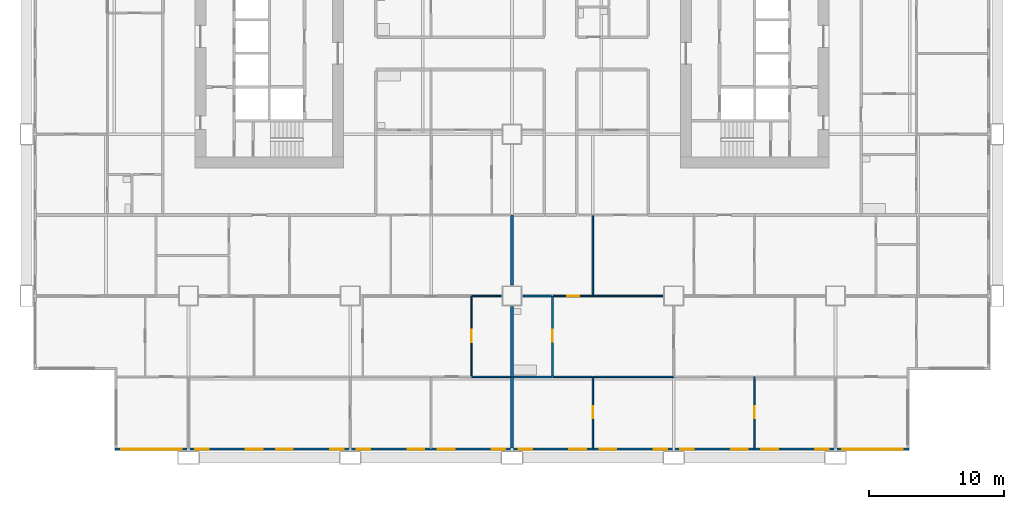
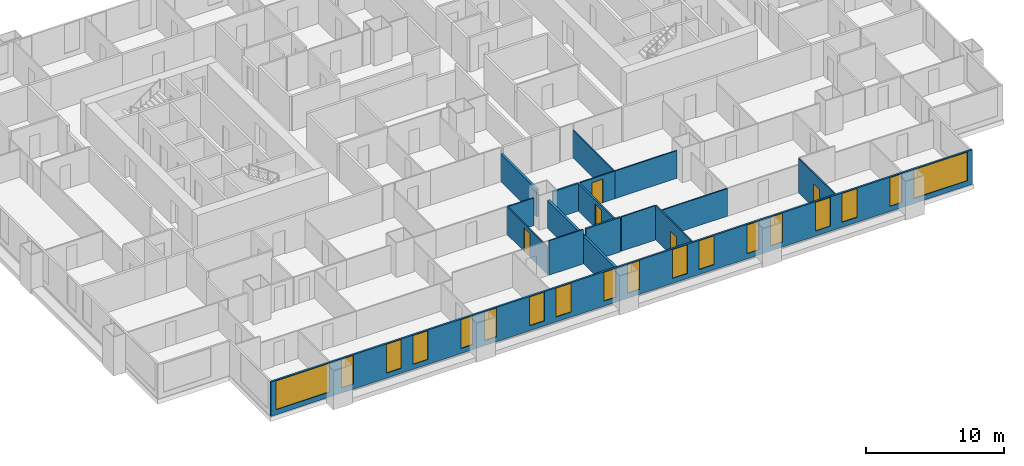
# One storey, part 5 of 14: 18 windows, 17 walls, 5 doors, 23 openings.
"""IFC4 building model written with IfcOpenShell, lengths in metres."""

from ifc_helpers import new_model, si_unit, direction, frame, frame_2d, origin, place, context, subcontext, project, spatial, rectangle, extrude, material, layer, layer_set, type_object, element, fill, save


model = new_model("IFC4")

# Units and contexts
model_context = context("Model", 3, precision=1e-05, world=origin(), true_north=direction((0.0, 1.0)))
body_context = subcontext(model_context, "Body", "Model", "MODEL_VIEW")
ifc_project = project(units=[si_unit("LENGTHUNIT", "METRE"), si_unit("AREAUNIT", "SQUARE_METRE"), si_unit("VOLUMEUNIT", "CUBIC_METRE"), si_unit("PLANEANGLEUNIT", "RADIAN"), si_unit("MASSUNIT", "GRAM", prefix="KILO")], contexts=[model_context])

# Site, building, storey
site_placement = place(None, origin())
site = spatial("IfcSite", under=ifc_project, at=site_placement, CompositionType="ELEMENT")
building_placement = place(site_placement, origin())
building = spatial("IfcBuilding", under=site, at=building_placement, Name="Kitamizu Gate Tower and Museum", CompositionType="ELEMENT")
storey_placement = place(building_placement, frame((0.0, 0.0, 85.199951171875)))
storey = spatial("IfcBuildingStorey", under=building, at=storey_placement, Name="L21", CompositionType="ELEMENT", Elevation=85.199951171875)

# Wall
ifc_material_1 = material(Name="Gypsum board on galvanised stud")
ifc_layer_1 = layer(ifc_material_1, 0.10009765625)
ifc_layer_set_1 = layer_set([ifc_layer_1], Name="Gypsum board on galvanised stud")
wall_type_1 = type_object("IfcWallType", Name="Partition 100 NOT RATED", PredefinedType="PARTITIONING", material=ifc_layer_set_1)
wall_1_placement = place(storey_placement, frame((35.89990234375, 6.0, 0.0), z_axis=(0.0, 0.0, 1.0), x_axis=(-1.0, 0.0, 0.0)))
element("IfcWall", 1, at=wall_1_placement, inside=storey, type_object=wall_type_1, Name="Partition L21-011", PredefinedType="PARTITIONING", context=body_context, shape_type="SweptSolid", body=[
    extrude(rectangle(XDim=2.89990234375, YDim=0.10009765625, at=frame_2d((1.449951171875, 0.0))), origin(), (0.0, 0.0, 1.0), 3.050048828125),
])

# Wall, opening, door
wall_2_placement = place(storey_placement, frame((33.0, 6.050048828125, 0.0), z_axis=(0.0, 0.0, 1.0), x_axis=(0.0, 1.0, 0.0)))
wall_2 = element("IfcWall", 2, at=wall_2_placement, inside=storey, type_object=wall_type_1, Name="Partition L21-023", PredefinedType="PARTITIONING", context=body_context, shape_type="SweptSolid", body=[
    extrude(rectangle(XDim=5.949951171875, YDim=0.10009765625, at=frame_2d((2.97509765625, 0.0))), origin(), (0.0, 0.0, 1.0), 2.449951171875),
])
opening_1_placement = place(wall_2_placement, frame((2.52490234375, 0.0, 0.0)))
opening_1 = element("IfcOpeningElement", 3, at=opening_1_placement, cuts=wall_2, Name="Opening L21-010", PredefinedType="OPENING", context=body_context, shape_type="SweptSolid", body=[
    extrude(rectangle(XDim=0.89990234375, YDim=2.10009765625, at=frame_2d((0.449951171875, 1.050048828125))), frame((0.0, 0.06005859375, 0.0), z_axis=(0.0, -1.0, 0.0), x_axis=(1.0, 0.0, 0.0)), (0.0, 0.0, 1.0), 0.1201171875),
])
ifc_material_2 = material(Name="Timber door set", Category="wood")
door_type_1 = type_object("IfcDoorType", Name="Room door 900", OperationType="NOTDEFINED", PredefinedType="DOOR", material=ifc_material_2)
door_1_placement = place(opening_1_placement, frame((0.89990234375, 0.0, 0.0), x_axis=(-1.0, 0.0, 0.0)))
door_1 = element("IfcDoor", 4, at=door_1_placement, inside=storey, type_object=door_type_1, Name="Door L21-010", OperationType="SINGLE_SWING_RIGHT", OverallHeight=2.10009765625, OverallWidth=0.89990234375, PredefinedType="DOOR", context=body_context, shape_type="SweptSolid", body=[
    extrude(rectangle(XDim=0.89990234375, YDim=2.10009765625, at=frame_2d((0.449951171875, 1.050048828125))), frame((0.0, 0.02490234375, 0.0), z_axis=(0.0, -1.0, 0.0), x_axis=(1.0, 0.0, 0.0)), (0.0, 0.0, 1.0), 0.050048828125),
])
fill(opening_1, door_1)

# Wall
wall_3_placement = place(storey_placement, frame((35.199951171875, 12.0, 0.0), z_axis=(0.0, 0.0, 1.0), x_axis=(-1.0, 0.0, 0.0)))
element("IfcWall", 5, at=wall_3_placement, inside=storey, type_object=wall_type_1, Name="Partition L21-026", PredefinedType="PARTITIONING", context=body_context, shape_type="SweptSolid", body=[
    extrude(rectangle(XDim=2.14990234375, YDim=0.10009765625, at=frame_2d((1.074951171875, 0.0))), origin(), (0.0, 0.0, 1.0), 2.449951171875),
])

# Wall, opening, door
wall_4_placement = place(storey_placement, frame((42.0, 0.719970703125, 0.0), z_axis=(0.0, 0.0, 1.0), x_axis=(0.0, 1.0, 0.0)))
wall_4 = element("IfcWall", 6, at=wall_4_placement, inside=storey, type_object=wall_type_1, Name="Partition L21-121", PredefinedType="PARTITIONING", context=body_context, shape_type="SweptSolid", body=[
    extrude(rectangle(XDim=5.280029296875, YDim=0.10009765625, at=frame_2d((2.64013671875, 0.0))), origin(), (0.0, 0.0, 1.0), 3.050048828125),
])
opening_2_placement = place(wall_4_placement, frame((2.18994140625, 0.0, 0.0)))
opening_2 = element("IfcOpeningElement", 7, at=opening_2_placement, cuts=wall_4, Name="Opening L21-048", PredefinedType="OPENING", context=body_context, shape_type="SweptSolid", body=[
    extrude(rectangle(XDim=0.89990234375, YDim=2.10009765625, at=frame_2d((0.449951171875, 1.050048828125))), frame((0.0, 0.06005859375, 0.0), z_axis=(0.0, -1.0, 0.0), x_axis=(1.0, 0.0, 0.0)), (0.0, 0.0, 1.0), 0.1201171875),
])
door_2_placement = place(opening_2_placement, origin())
door_2 = element("IfcDoor", 8, at=door_2_placement, inside=storey, type_object=door_type_1, Name="Door L21-048", OperationType="SINGLE_SWING_LEFT", OverallHeight=2.10009765625, OverallWidth=0.89990234375, PredefinedType="DOOR", context=body_context, shape_type="SweptSolid", body=[
    extrude(rectangle(XDim=0.89990234375, YDim=2.10009765625, at=frame_2d((0.449951171875, 1.050048828125))), frame((0.0, 0.02490234375, 0.0), z_axis=(0.0, -1.0, 0.0), x_axis=(1.0, 0.0, 0.0)), (0.0, 0.0, 1.0), 0.050048828125),
])
fill(opening_2, door_2)

# Wall
wall_5_placement = place(storey_placement, frame((41.949951171875, 6.0, 0.0), z_axis=(0.0, 0.0, 1.0), x_axis=(-1.0, 0.0, 0.0)))
element("IfcWall", 9, at=wall_5_placement, inside=storey, type_object=wall_type_1, Name="Partition L21-123", PredefinedType="PARTITIONING", context=body_context, shape_type="SweptSolid", body=[
    extrude(rectangle(XDim=2.875, YDim=0.10009765625, at=frame_2d((1.4375, 0.0))), origin(), (0.0, 0.0, 1.0), 3.050048828125),
])

# Wall, opening, door
wall_6_placement = place(storey_placement, frame((54.0, 0.719970703125, 0.0), z_axis=(0.0, 0.0, 1.0), x_axis=(0.0, 1.0, 0.0)))
wall_6 = element("IfcWall", 10, at=wall_6_placement, inside=storey, type_object=wall_type_1, Name="Partition L21-124", PredefinedType="PARTITIONING", context=body_context, shape_type="SweptSolid", body=[
    extrude(rectangle(XDim=5.280029296875, YDim=0.10009765625, at=frame_2d((2.64013671875, 0.0))), origin(), (0.0, 0.0, 1.0), 3.050048828125),
])
opening_3_placement = place(wall_6_placement, frame((2.18994140625, 0.0, 0.0)))
opening_3 = element("IfcOpeningElement", 11, at=opening_3_placement, cuts=wall_6, Name="Opening L21-049", PredefinedType="OPENING", context=body_context, shape_type="SweptSolid", body=[
    extrude(rectangle(XDim=0.89990234375, YDim=2.10009765625, at=frame_2d((0.449951171875, 1.050048828125))), frame((0.0, 0.06005859375, 0.0), z_axis=(0.0, -1.0, 0.0), x_axis=(1.0, 0.0, 0.0)), (0.0, 0.0, 1.0), 0.1201171875),
])
door_3_placement = place(opening_3_placement, frame((0.89990234375, 0.0, 0.0), x_axis=(-1.0, 0.0, 0.0)))
door_3 = element("IfcDoor", 12, at=door_3_placement, inside=storey, type_object=door_type_1, Name="Door L21-049", OperationType="SINGLE_SWING_LEFT", OverallHeight=2.10009765625, OverallWidth=0.89990234375, PredefinedType="DOOR", context=body_context, shape_type="SweptSolid", body=[
    extrude(rectangle(XDim=0.89990234375, YDim=2.10009765625, at=frame_2d((0.449951171875, 1.050048828125))), frame((0.0, 0.02490234375, 0.0), z_axis=(0.0, -1.0, 0.0), x_axis=(1.0, 0.0, 0.0)), (0.0, 0.0, 1.0), 0.050048828125),
])
fill(opening_3, door_3)

# Wall
wall_7_placement = place(storey_placement, frame((48.0, 6.0, 0.0), z_axis=(0.0, 0.0, 1.0), x_axis=(-1.0, 0.0, 0.0)))
element("IfcWall", 13, at=wall_7_placement, inside=storey, type_object=wall_type_1, Name="Partition L21-125", PredefinedType="PARTITIONING", context=body_context, shape_type="SweptSolid", body=[
    extrude(rectangle(XDim=5.949951171875, YDim=0.10009765625, at=frame_2d((2.97509765625, 0.0))), origin(), (0.0, 0.0, 1.0), 2.449951171875),
])

# Wall, opening, door
wall_8_placement = place(storey_placement, frame((42.0, 12.0, 0.0), z_axis=(0.0, 0.0, 1.0), x_axis=(-1.0, 0.0, 0.0)))
wall_8 = element("IfcWall", 14, at=wall_8_placement, inside=storey, type_object=wall_type_1, Name="Partition L21-134", PredefinedType="PARTITIONING", context=body_context, shape_type="SweptSolid", body=[
    extrude(rectangle(XDim=2.925048828125, YDim=0.10009765625, at=frame_2d((1.46240234375, 0.0))), origin(), (0.0, 0.0, 1.0), 2.449951171875),
])
opening_4_placement = place(wall_8_placement, frame((1.012451171875, 0.0, 0.0)))
opening_4 = element("IfcOpeningElement", 15, at=opening_4_placement, cuts=wall_8, Name="Opening L21-051", PredefinedType="OPENING", context=body_context, shape_type="SweptSolid", body=[
    extrude(rectangle(XDim=0.89990234375, YDim=2.10009765625, at=frame_2d((0.449951171875, 1.050048828125))), frame((0.0, 0.06005859375, 0.0), z_axis=(0.0, -1.0, 0.0), x_axis=(1.0, 0.0, 0.0)), (0.0, 0.0, 1.0), 0.1201171875),
])
door_4_placement = place(opening_4_placement, frame((0.89990234375, 0.0, 0.0), x_axis=(-1.0, 0.0, 0.0)))
door_4 = element("IfcDoor", 16, at=door_4_placement, inside=storey, type_object=door_type_1, Name="Door L21-051", OperationType="SINGLE_SWING_LEFT", OverallHeight=2.10009765625, OverallWidth=0.89990234375, PredefinedType="DOOR", context=body_context, shape_type="SweptSolid", body=[
    extrude(rectangle(XDim=0.89990234375, YDim=2.10009765625, at=frame_2d((0.449951171875, 1.050048828125))), frame((0.0, 0.02490234375, 0.0), z_axis=(0.0, -1.0, 0.0), x_axis=(1.0, 0.0, 0.0)), (0.0, 0.0, 1.0), 0.050048828125),
])
fill(opening_4, door_4)

# Walls
wall_9_placement = place(storey_placement, frame((47.199951171875, 12.0, 0.0), z_axis=(0.0, 0.0, 1.0), x_axis=(-1.0, 0.0, 0.0)))
element("IfcWall", 17, at=wall_9_placement, inside=storey, type_object=wall_type_1, Name="Partition L21-135", PredefinedType="PARTITIONING", context=body_context, shape_type="SweptSolid", body=[
    extrude(rectangle(XDim=5.199951171875, YDim=0.10009765625, at=frame_2d((2.60009765625, 0.0))), origin(), (0.0, 0.0, 1.0), 2.449951171875),
])
wall_10_placement = place(storey_placement, frame((42.0, 12.050048828125, 0.0), z_axis=(0.0, 0.0, 1.0), x_axis=(0.0, 1.0, 0.0)))
element("IfcWall", 18, at=wall_10_placement, inside=storey, type_object=wall_type_1, Name="Partition L21-145", PredefinedType="PARTITIONING", context=body_context, shape_type="SweptSolid", body=[
    extrude(rectangle(XDim=5.949951171875, YDim=0.10009765625, at=frame_2d((2.97509765625, 0.0))), origin(), (0.0, 0.0, 1.0), 2.449951171875),
])
ifc_material_3 = material(Name="Gypsum board on galvanised stud")
ifc_layer_2 = layer(ifc_material_3, 0.14990234375)
ifc_layer_set_2 = layer_set([ifc_layer_2], Name="Gypsum board on galvanised stud")
wall_type_2 = type_object("IfcWallType", Name="Partition 150", PredefinedType="PARTITIONING", material=ifc_layer_set_2)
wall_11_placement = place(storey_placement, frame((39.0, 6.0, 0.0), z_axis=(0.0, 0.0, 1.0), x_axis=(-1.0, 0.0, 0.0)))
element("IfcWall", 19, at=wall_11_placement, inside=storey, type_object=wall_type_2, Name="Partition L21-122", PredefinedType="PARTITIONING", context=body_context, shape_type="SweptSolid", body=[
    extrude(rectangle(XDim=2.89990234375, YDim=0.14990234375, at=frame_2d((1.449951171875, 0.0))), origin(), (0.0, 0.0, 1.0), 3.050048828125),
])

# Wall, opening, door
wall_12_placement = place(storey_placement, frame((39.0, 6.074951171875, 0.0), z_axis=(0.0, 0.0, 1.0), x_axis=(0.0, 1.0, 0.0)))
wall_12 = element("IfcWall", 20, at=wall_12_placement, inside=storey, type_object=wall_type_2, Name="Partition L21-131", PredefinedType="PARTITIONING", context=body_context, shape_type="SweptSolid", body=[
    extrude(rectangle(XDim=5.925048828125, YDim=0.14990234375, at=frame_2d((2.96240234375, 0.0))), origin(), (0.0, 0.0, 1.0), 2.449951171875),
])
opening_5_placement = place(wall_12_placement, frame((2.512451171875, 0.0, 0.0)))
opening_5 = element("IfcOpeningElement", 21, at=opening_5_placement, cuts=wall_12, Name="Opening L21-050", PredefinedType="OPENING", context=body_context, shape_type="SweptSolid", body=[
    extrude(rectangle(XDim=0.89990234375, YDim=2.10009765625, at=frame_2d((0.449951171875, 1.050048828125))), frame((0.0, 0.0849609375, 0.0), z_axis=(0.0, -1.0, 0.0), x_axis=(1.0, 0.0, 0.0)), (0.0, 0.0, 1.0), 0.169921875),
])
ifc_material_4 = material(Name="Timber door set", Category="wood")
door_type_2 = type_object("IfcDoorType", Name="Bathroom door 900", OperationType="NOTDEFINED", PredefinedType="DOOR", material=ifc_material_4)
door_5_placement = place(opening_5_placement, origin())
door_5 = element("IfcDoor", 22, at=door_5_placement, inside=storey, type_object=door_type_2, Name="Bathroom door L21-050", OperationType="SINGLE_SWING_LEFT", OverallHeight=2.10009765625, OverallWidth=0.89990234375, PredefinedType="DOOR", context=body_context, shape_type="SweptSolid", body=[
    extrude(rectangle(XDim=0.89990234375, YDim=2.10009765625, at=frame_2d((0.449951171875, 1.050048828125))), frame((0.0, 0.02490234375, 0.0), z_axis=(0.0, -1.0, 0.0), x_axis=(1.0, 0.0, 0.0)), (0.0, 0.0, 1.0), 0.050048828125),
])
fill(opening_5, door_5)

# Walls
wall_13_placement = place(storey_placement, frame((38.925048828125, 12.0, 0.0), z_axis=(0.0, 0.0, 1.0), x_axis=(-1.0, 0.0, 0.0)))
element("IfcWall", 23, at=wall_13_placement, inside=storey, type_object=wall_type_2, Name="Partition L21-132", PredefinedType="PARTITIONING", context=body_context, shape_type="SweptSolid", body=[
    extrude(rectangle(XDim=2.125, YDim=0.14990234375, at=frame_2d((1.0625, 0.0))), origin(), (0.0, 0.0, 1.0), 2.449951171875),
])
ifc_material_5 = material(Name="Gypsum board on galvanised stud")
ifc_layer_3 = layer(ifc_material_5, 0.199951171875)
ifc_layer_set_3 = layer_set([ifc_layer_3], Name="Gypsum board on galvanised stud")
wall_type_3 = type_object("IfcWallType", Name="Partition 200", PredefinedType="PARTITIONING", material=ifc_layer_set_3)
wall_14_placement = place(storey_placement, frame((36.0, 0.719970703125, 0.0), z_axis=(0.0, 0.0, 1.0), x_axis=(0.0, 1.0, 0.0)))
element("IfcWall", 24, at=wall_14_placement, inside=storey, type_object=wall_type_3, Name="Partition L21-012", PredefinedType="PARTITIONING", context=body_context, shape_type="SweptSolid", body=[
    extrude(rectangle(XDim=5.280029296875, YDim=0.199951171875, at=frame_2d((2.64013671875, 0.0))), origin(), (0.0, 0.0, 1.0), 2.449951171875),
])
for number, where, z_axis, x_axis, name in (
    (25, (36.0, 6.0, 0.0), (0.0, 0.0, 1.0), (0.0, 1.0, 0.0), "Partition L21-027"),
    (26, (36.0, 12.800048828125, 0.0), (0.0, 0.0, 1.0), (0.0, 1.0, 0.0), "Partition L21-046"),
):
    element("IfcWall", number, at=place(storey_placement, frame(where, z_axis=z_axis, x_axis=x_axis)), inside=storey, type_object=wall_type_3, Name=name, PredefinedType="PARTITIONING", context=body_context, shape_type="SweptSolid", body=[
        extrude(rectangle(XDim=5.199951171875, YDim=0.199951171875, at=frame_2d((2.60009765625, 0.0))), origin(), (0.0, 0.0, 1.0), 2.449951171875),
    ])

# Wall, openings, windows
ifc_material_6 = material(Name="Bronze anodised aluminium frame with insulated spandrel and tinted glass", Category="aluminium")
ifc_layer_4 = layer(ifc_material_6, 0.14990234375)
ifc_layer_set_4 = layer_set([ifc_layer_4], Name="Bronze anodised aluminium frame with insulated spandrel and tinted glass")
wall_type_4 = type_object("IfcWallType", Name="WINDOW WALL 150 BRONZE FRAME EI 30", PredefinedType="ELEMENTEDWALL", material=ifc_layer_set_4)
wall_15_placement = place(storey_placement, frame((6.56005859375, 0.635009765625, 0.0), z_axis=(0.0, 0.0, 1.0), x_axis=(1.0, 0.0, 0.0)))
wall_15 = element("IfcWall", 27, at=wall_15_placement, inside=storey, type_object=wall_type_4, Name="Window wall south L21", PredefinedType="ELEMENTEDWALL", context=body_context, shape_type="SweptSolid", body=[
    extrude(rectangle(XDim=58.8798828125, YDim=0.14990234375, at=frame_2d((29.43994140625, 0.0))), origin(), (0.0, 0.0, 1.0), 3.050048828125),
])
opening_6_placement = place(wall_15_placement, frame((0.43994140625, 0.0, 0.449951171875)))
opening_6 = element("IfcOpeningElement", 28, at=opening_6_placement, cuts=wall_15, Name="Opening W15", PredefinedType="OPENING", context=body_context, shape_type="SweptSolid", body=[
    extrude(rectangle(XDim=4.5, YDim=2.550048828125, at=frame_2d((2.25, 1.27490234375))), frame((0.0, 0.0849609375, 0.0), z_axis=(0.0, -1.0, 0.0), x_axis=(1.0, 0.0, 0.0)), (0.0, 0.0, 1.0), 0.169921875),
])
opening_7_placement = place(wall_15_placement, frame((5.93994140625, 0.0, 0.449951171875)))
opening_7 = element("IfcOpeningElement", 29, at=opening_7_placement, cuts=wall_15, Name="Opening W26", PredefinedType="OPENING", context=body_context, shape_type="SweptSolid", body=[
    extrude(rectangle(XDim=1.0, YDim=2.550048828125, at=frame_2d((0.5, 1.27490234375))), frame((0.0, 0.0849609375, 0.0), z_axis=(0.0, -1.0, 0.0), x_axis=(1.0, 0.0, 0.0)), (0.0, 0.0, 1.0), 0.169921875),
])
opening_8_placement = place(wall_15_placement, frame((9.68994140625, 0.0, 0.449951171875)))
opening_8 = element("IfcOpeningElement", 30, at=opening_8_placement, cuts=wall_15, Name="Opening W27", PredefinedType="OPENING", context=body_context, shape_type="SweptSolid", body=[
    extrude(rectangle(XDim=1.25, YDim=2.550048828125, at=frame_2d((0.625, 1.27490234375))), frame((0.0, 0.0849609375, 0.0), z_axis=(0.0, -1.0, 0.0), x_axis=(1.0, 0.0, 0.0)), (0.0, 0.0, 1.0), 0.169921875),
])
opening_9_placement = place(wall_15_placement, frame((11.93994140625, 0.0, 0.449951171875)))
opening_9 = element("IfcOpeningElement", 31, at=opening_9_placement, cuts=wall_15, Name="Opening W27", PredefinedType="OPENING", context=body_context, shape_type="SweptSolid", body=[
    extrude(rectangle(XDim=1.25, YDim=2.550048828125, at=frame_2d((0.625, 1.27490234375))), frame((0.0, 0.0849609375, 0.0), z_axis=(0.0, -1.0, 0.0), x_axis=(1.0, 0.0, 0.0)), (0.0, 0.0, 1.0), 0.169921875),
])
opening_10_placement = place(wall_15_placement, frame((15.93994140625, 0.0, 0.449951171875)))
opening_10 = element("IfcOpeningElement", 32, at=opening_10_placement, cuts=wall_15, Name="Opening W26", PredefinedType="OPENING", context=body_context, shape_type="SweptSolid", body=[
    extrude(rectangle(XDim=1.0, YDim=2.550048828125, at=frame_2d((0.5, 1.27490234375))), frame((0.0, 0.0849609375, 0.0), z_axis=(0.0, -1.0, 0.0), x_axis=(1.0, 0.0, 0.0)), (0.0, 0.0, 1.0), 0.169921875),
])
opening_11_placement = place(wall_15_placement, frame((17.93994140625, 0.0, 0.449951171875)))
opening_11 = element("IfcOpeningElement", 33, at=opening_11_placement, cuts=wall_15, Name="Opening W26", PredefinedType="OPENING", context=body_context, shape_type="SweptSolid", body=[
    extrude(rectangle(XDim=1.0, YDim=2.550048828125, at=frame_2d((0.5, 1.27490234375))), frame((0.0, 0.0849609375, 0.0), z_axis=(0.0, -1.0, 0.0), x_axis=(1.0, 0.0, 0.0)), (0.0, 0.0, 1.0), 0.169921875),
])
opening_12_placement = place(wall_15_placement, frame((21.68994140625, 0.0, 0.449951171875)))
opening_12 = element("IfcOpeningElement", 34, at=opening_12_placement, cuts=wall_15, Name="Opening W27", PredefinedType="OPENING", context=body_context, shape_type="SweptSolid", body=[
    extrude(rectangle(XDim=1.25, YDim=2.550048828125, at=frame_2d((0.625, 1.27490234375))), frame((0.0, 0.0849609375, 0.0), z_axis=(0.0, -1.0, 0.0), x_axis=(1.0, 0.0, 0.0)), (0.0, 0.0, 1.0), 0.169921875),
])
opening_13_placement = place(wall_15_placement, frame((23.93994140625, 0.0, 0.449951171875)))
opening_13 = element("IfcOpeningElement", 35, at=opening_13_placement, cuts=wall_15, Name="Opening W27", PredefinedType="OPENING", context=body_context, shape_type="SweptSolid", body=[
    extrude(rectangle(XDim=1.25, YDim=2.550048828125, at=frame_2d((0.625, 1.27490234375))), frame((0.0, 0.0849609375, 0.0), z_axis=(0.0, -1.0, 0.0), x_axis=(1.0, 0.0, 0.0)), (0.0, 0.0, 1.0), 0.169921875),
])
opening_14_placement = place(wall_15_placement, frame((27.93994140625, 0.0, 0.449951171875)))
opening_14 = element("IfcOpeningElement", 36, at=opening_14_placement, cuts=wall_15, Name="Opening W26", PredefinedType="OPENING", context=body_context, shape_type="SweptSolid", body=[
    extrude(rectangle(XDim=1.0, YDim=2.550048828125, at=frame_2d((0.5, 1.27490234375))), frame((0.0, 0.0849609375, 0.0), z_axis=(0.0, -1.0, 0.0), x_axis=(1.0, 0.0, 0.0)), (0.0, 0.0, 1.0), 0.169921875),
])
opening_15_placement = place(wall_15_placement, frame((29.93994140625, 0.0, 0.449951171875)))
opening_15 = element("IfcOpeningElement", 37, at=opening_15_placement, cuts=wall_15, Name="Opening W26", PredefinedType="OPENING", context=body_context, shape_type="SweptSolid", body=[
    extrude(rectangle(XDim=1.0, YDim=2.550048828125, at=frame_2d((0.5, 1.27490234375))), frame((0.0, 0.0849609375, 0.0), z_axis=(0.0, -1.0, 0.0), x_axis=(1.0, 0.0, 0.0)), (0.0, 0.0, 1.0), 0.169921875),
])
opening_16_placement = place(wall_15_placement, frame((33.68994140625, 0.0, 0.449951171875)))
opening_16 = element("IfcOpeningElement", 38, at=opening_16_placement, cuts=wall_15, Name="Opening W27", PredefinedType="OPENING", context=body_context, shape_type="SweptSolid", body=[
    extrude(rectangle(XDim=1.25, YDim=2.550048828125, at=frame_2d((0.625, 1.27490234375))), frame((0.0, 0.0849609375, 0.0), z_axis=(0.0, -1.0, 0.0), x_axis=(1.0, 0.0, 0.0)), (0.0, 0.0, 1.0), 0.169921875),
])
opening_17_placement = place(wall_15_placement, frame((35.93994140625, 0.0, 0.449951171875)))
opening_17 = element("IfcOpeningElement", 39, at=opening_17_placement, cuts=wall_15, Name="Opening W27", PredefinedType="OPENING", context=body_context, shape_type="SweptSolid", body=[
    extrude(rectangle(XDim=1.25, YDim=2.550048828125, at=frame_2d((0.625, 1.27490234375))), frame((0.0, 0.0849609375, 0.0), z_axis=(0.0, -1.0, 0.0), x_axis=(1.0, 0.0, 0.0)), (0.0, 0.0, 1.0), 0.169921875),
])
opening_18_placement = place(wall_15_placement, frame((39.93994140625, 0.0, 0.449951171875)))
opening_18 = element("IfcOpeningElement", 40, at=opening_18_placement, cuts=wall_15, Name="Opening W26", PredefinedType="OPENING", context=body_context, shape_type="SweptSolid", body=[
    extrude(rectangle(XDim=1.0, YDim=2.550048828125, at=frame_2d((0.5, 1.27490234375))), frame((0.0, 0.0849609375, 0.0), z_axis=(0.0, -1.0, 0.0), x_axis=(1.0, 0.0, 0.0)), (0.0, 0.0, 1.0), 0.169921875),
])
opening_19_placement = place(wall_15_placement, frame((41.93994140625, 0.0, 0.449951171875)))
opening_19 = element("IfcOpeningElement", 41, at=opening_19_placement, cuts=wall_15, Name="Opening W26", PredefinedType="OPENING", context=body_context, shape_type="SweptSolid", body=[
    extrude(rectangle(XDim=1.0, YDim=2.550048828125, at=frame_2d((0.5, 1.27490234375))), frame((0.0, 0.0849609375, 0.0), z_axis=(0.0, -1.0, 0.0), x_axis=(1.0, 0.0, 0.0)), (0.0, 0.0, 1.0), 0.169921875),
])
opening_20_placement = place(wall_15_placement, frame((45.68994140625, 0.0, 0.449951171875)))
opening_20 = element("IfcOpeningElement", 42, at=opening_20_placement, cuts=wall_15, Name="Opening W27", PredefinedType="OPENING", context=body_context, shape_type="SweptSolid", body=[
    extrude(rectangle(XDim=1.25, YDim=2.550048828125, at=frame_2d((0.625, 1.27490234375))), frame((0.0, 0.0849609375, 0.0), z_axis=(0.0, -1.0, 0.0), x_axis=(1.0, 0.0, 0.0)), (0.0, 0.0, 1.0), 0.169921875),
])
opening_21_placement = place(wall_15_placement, frame((47.93994140625, 0.0, 0.449951171875)))
opening_21 = element("IfcOpeningElement", 43, at=opening_21_placement, cuts=wall_15, Name="Opening W27", PredefinedType="OPENING", context=body_context, shape_type="SweptSolid", body=[
    extrude(rectangle(XDim=1.25, YDim=2.550048828125, at=frame_2d((0.625, 1.27490234375))), frame((0.0, 0.0849609375, 0.0), z_axis=(0.0, -1.0, 0.0), x_axis=(1.0, 0.0, 0.0)), (0.0, 0.0, 1.0), 0.169921875),
])
opening_22_placement = place(wall_15_placement, frame((51.93994140625, 0.0, 0.449951171875)))
opening_22 = element("IfcOpeningElement", 44, at=opening_22_placement, cuts=wall_15, Name="Opening W26", PredefinedType="OPENING", context=body_context, shape_type="SweptSolid", body=[
    extrude(rectangle(XDim=1.0, YDim=2.550048828125, at=frame_2d((0.5, 1.27490234375))), frame((0.0, 0.0849609375, 0.0), z_axis=(0.0, -1.0, 0.0), x_axis=(1.0, 0.0, 0.0)), (0.0, 0.0, 1.0), 0.169921875),
])
opening_23_placement = place(wall_15_placement, frame((53.93994140625, 0.0, 0.449951171875)))
opening_23 = element("IfcOpeningElement", 45, at=opening_23_placement, cuts=wall_15, Name="Opening W15", PredefinedType="OPENING", context=body_context, shape_type="SweptSolid", body=[
    extrude(rectangle(XDim=4.5, YDim=2.550048828125, at=frame_2d((2.25, 1.27490234375))), frame((0.0, 0.0849609375, 0.0), z_axis=(0.0, -1.0, 0.0), x_axis=(1.0, 0.0, 0.0)), (0.0, 0.0, 1.0), 0.169921875),
])
ifc_material_7 = material(Name="Bronze anodised aluminium frame, tinted triple glazing", Category="aluminium")
window_type_1 = type_object("IfcWindowType", Name="WINDOW 1000 x 2550 SILL 450", PartitioningType="SINGLE_PANEL", PredefinedType="WINDOW", material=ifc_material_7)
window_1_placement = place(opening_7_placement, origin())
window_1 = element("IfcWindow", 46, at=window_1_placement, inside=storey, type_object=window_type_1, Name="Window W26 L21", OverallHeight=2.550048828125, OverallWidth=1.0, PartitioningType="SINGLE_PANEL", PredefinedType="WINDOW", context=body_context, shape_type="SweptSolid", body=[
    extrude(rectangle(XDim=1.0, YDim=2.550048828125, at=frame_2d((0.5, 1.27490234375))), frame((0.0, 0.030029296875, 0.0), z_axis=(0.0, -1.0, 0.0), x_axis=(1.0, 0.0, 0.0)), (0.0, 0.0, 1.0), 0.06005859375),
])
fill(opening_7, window_1)
window_2_placement = place(opening_10_placement, origin())
window_2 = element("IfcWindow", 47, at=window_2_placement, inside=storey, type_object=window_type_1, Name="Window W26 L21", OverallHeight=2.550048828125, OverallWidth=1.0, PartitioningType="SINGLE_PANEL", PredefinedType="WINDOW", context=body_context, shape_type="SweptSolid", body=[
    extrude(rectangle(XDim=1.0, YDim=2.550048828125, at=frame_2d((0.5, 1.27490234375))), frame((0.0, 0.030029296875, 0.0), z_axis=(0.0, -1.0, 0.0), x_axis=(1.0, 0.0, 0.0)), (0.0, 0.0, 1.0), 0.06005859375),
])
fill(opening_10, window_2)
window_3_placement = place(opening_11_placement, origin())
window_3 = element("IfcWindow", 48, at=window_3_placement, inside=storey, type_object=window_type_1, Name="Window W26 L21", OverallHeight=2.550048828125, OverallWidth=1.0, PartitioningType="SINGLE_PANEL", PredefinedType="WINDOW", context=body_context, shape_type="SweptSolid", body=[
    extrude(rectangle(XDim=1.0, YDim=2.550048828125, at=frame_2d((0.5, 1.27490234375))), frame((0.0, 0.030029296875, 0.0), z_axis=(0.0, -1.0, 0.0), x_axis=(1.0, 0.0, 0.0)), (0.0, 0.0, 1.0), 0.06005859375),
])
fill(opening_11, window_3)
window_4_placement = place(opening_14_placement, origin())
window_4 = element("IfcWindow", 49, at=window_4_placement, inside=storey, type_object=window_type_1, Name="Window W26 L21", OverallHeight=2.550048828125, OverallWidth=1.0, PartitioningType="SINGLE_PANEL", PredefinedType="WINDOW", context=body_context, shape_type="SweptSolid", body=[
    extrude(rectangle(XDim=1.0, YDim=2.550048828125, at=frame_2d((0.5, 1.27490234375))), frame((0.0, 0.030029296875, 0.0), z_axis=(0.0, -1.0, 0.0), x_axis=(1.0, 0.0, 0.0)), (0.0, 0.0, 1.0), 0.06005859375),
])
fill(opening_14, window_4)
window_5_placement = place(opening_15_placement, origin())
window_5 = element("IfcWindow", 50, at=window_5_placement, inside=storey, type_object=window_type_1, Name="Window W26 L21", OverallHeight=2.550048828125, OverallWidth=1.0, PartitioningType="SINGLE_PANEL", PredefinedType="WINDOW", context=body_context, shape_type="SweptSolid", body=[
    extrude(rectangle(XDim=1.0, YDim=2.550048828125, at=frame_2d((0.5, 1.27490234375))), frame((0.0, 0.030029296875, 0.0), z_axis=(0.0, -1.0, 0.0), x_axis=(1.0, 0.0, 0.0)), (0.0, 0.0, 1.0), 0.06005859375),
])
fill(opening_15, window_5)
window_6_placement = place(opening_18_placement, origin())
window_6 = element("IfcWindow", 51, at=window_6_placement, inside=storey, type_object=window_type_1, Name="Window W26 L21", OverallHeight=2.550048828125, OverallWidth=1.0, PartitioningType="SINGLE_PANEL", PredefinedType="WINDOW", context=body_context, shape_type="SweptSolid", body=[
    extrude(rectangle(XDim=1.0, YDim=2.550048828125, at=frame_2d((0.5, 1.27490234375))), frame((0.0, 0.030029296875, 0.0), z_axis=(0.0, -1.0, 0.0), x_axis=(1.0, 0.0, 0.0)), (0.0, 0.0, 1.0), 0.06005859375),
])
fill(opening_18, window_6)
window_7_placement = place(opening_19_placement, origin())
window_7 = element("IfcWindow", 52, at=window_7_placement, inside=storey, type_object=window_type_1, Name="Window W26 L21", OverallHeight=2.550048828125, OverallWidth=1.0, PartitioningType="SINGLE_PANEL", PredefinedType="WINDOW", context=body_context, shape_type="SweptSolid", body=[
    extrude(rectangle(XDim=1.0, YDim=2.550048828125, at=frame_2d((0.5, 1.27490234375))), frame((0.0, 0.030029296875, 0.0), z_axis=(0.0, -1.0, 0.0), x_axis=(1.0, 0.0, 0.0)), (0.0, 0.0, 1.0), 0.06005859375),
])
fill(opening_19, window_7)
window_8_placement = place(opening_22_placement, origin())
window_8 = element("IfcWindow", 53, at=window_8_placement, inside=storey, type_object=window_type_1, Name="Window W26 L21", OverallHeight=2.550048828125, OverallWidth=1.0, PartitioningType="SINGLE_PANEL", PredefinedType="WINDOW", context=body_context, shape_type="SweptSolid", body=[
    extrude(rectangle(XDim=1.0, YDim=2.550048828125, at=frame_2d((0.5, 1.27490234375))), frame((0.0, 0.030029296875, 0.0), z_axis=(0.0, -1.0, 0.0), x_axis=(1.0, 0.0, 0.0)), (0.0, 0.0, 1.0), 0.06005859375),
])
fill(opening_22, window_8)
ifc_material_8 = material(Name="Bronze anodised aluminium frame, tinted triple glazing", Category="aluminium")
window_type_2 = type_object("IfcWindowType", Name="WINDOW 1250 x 2550 SILL 450", PartitioningType="SINGLE_PANEL", PredefinedType="WINDOW", material=ifc_material_8)
window_9_placement = place(opening_8_placement, origin())
window_9 = element("IfcWindow", 54, at=window_9_placement, inside=storey, type_object=window_type_2, Name="Window W27 L21", OverallHeight=2.550048828125, OverallWidth=1.25, PartitioningType="SINGLE_PANEL", PredefinedType="WINDOW", context=body_context, shape_type="SweptSolid", body=[
    extrude(rectangle(XDim=1.25, YDim=2.550048828125, at=frame_2d((0.625, 1.27490234375))), frame((0.0, 0.030029296875, 0.0), z_axis=(0.0, -1.0, 0.0), x_axis=(1.0, 0.0, 0.0)), (0.0, 0.0, 1.0), 0.06005859375),
])
fill(opening_8, window_9)
window_10_placement = place(opening_9_placement, origin())
window_10 = element("IfcWindow", 55, at=window_10_placement, inside=storey, type_object=window_type_2, Name="Window W27 L21", OverallHeight=2.550048828125, OverallWidth=1.25, PartitioningType="SINGLE_PANEL", PredefinedType="WINDOW", context=body_context, shape_type="SweptSolid", body=[
    extrude(rectangle(XDim=1.25, YDim=2.550048828125, at=frame_2d((0.625, 1.27490234375))), frame((0.0, 0.030029296875, 0.0), z_axis=(0.0, -1.0, 0.0), x_axis=(1.0, 0.0, 0.0)), (0.0, 0.0, 1.0), 0.06005859375),
])
fill(opening_9, window_10)
window_11_placement = place(opening_12_placement, origin())
window_11 = element("IfcWindow", 56, at=window_11_placement, inside=storey, type_object=window_type_2, Name="Window W27 L21", OverallHeight=2.550048828125, OverallWidth=1.25, PartitioningType="SINGLE_PANEL", PredefinedType="WINDOW", context=body_context, shape_type="SweptSolid", body=[
    extrude(rectangle(XDim=1.25, YDim=2.550048828125, at=frame_2d((0.625, 1.27490234375))), frame((0.0, 0.030029296875, 0.0), z_axis=(0.0, -1.0, 0.0), x_axis=(1.0, 0.0, 0.0)), (0.0, 0.0, 1.0), 0.06005859375),
])
fill(opening_12, window_11)
window_12_placement = place(opening_13_placement, origin())
window_12 = element("IfcWindow", 57, at=window_12_placement, inside=storey, type_object=window_type_2, Name="Window W27 L21", OverallHeight=2.550048828125, OverallWidth=1.25, PartitioningType="SINGLE_PANEL", PredefinedType="WINDOW", context=body_context, shape_type="SweptSolid", body=[
    extrude(rectangle(XDim=1.25, YDim=2.550048828125, at=frame_2d((0.625, 1.27490234375))), frame((0.0, 0.030029296875, 0.0), z_axis=(0.0, -1.0, 0.0), x_axis=(1.0, 0.0, 0.0)), (0.0, 0.0, 1.0), 0.06005859375),
])
fill(opening_13, window_12)
window_13_placement = place(opening_16_placement, origin())
window_13 = element("IfcWindow", 58, at=window_13_placement, inside=storey, type_object=window_type_2, Name="Window W27 L21", OverallHeight=2.550048828125, OverallWidth=1.25, PartitioningType="SINGLE_PANEL", PredefinedType="WINDOW", context=body_context, shape_type="SweptSolid", body=[
    extrude(rectangle(XDim=1.25, YDim=2.550048828125, at=frame_2d((0.625, 1.27490234375))), frame((0.0, 0.030029296875, 0.0), z_axis=(0.0, -1.0, 0.0), x_axis=(1.0, 0.0, 0.0)), (0.0, 0.0, 1.0), 0.06005859375),
])
fill(opening_16, window_13)
window_14_placement = place(opening_17_placement, origin())
window_14 = element("IfcWindow", 59, at=window_14_placement, inside=storey, type_object=window_type_2, Name="Window W27 L21", OverallHeight=2.550048828125, OverallWidth=1.25, PartitioningType="SINGLE_PANEL", PredefinedType="WINDOW", context=body_context, shape_type="SweptSolid", body=[
    extrude(rectangle(XDim=1.25, YDim=2.550048828125, at=frame_2d((0.625, 1.27490234375))), frame((0.0, 0.030029296875, 0.0), z_axis=(0.0, -1.0, 0.0), x_axis=(1.0, 0.0, 0.0)), (0.0, 0.0, 1.0), 0.06005859375),
])
fill(opening_17, window_14)
window_15_placement = place(opening_20_placement, origin())
window_15 = element("IfcWindow", 60, at=window_15_placement, inside=storey, type_object=window_type_2, Name="Window W27 L21", OverallHeight=2.550048828125, OverallWidth=1.25, PartitioningType="SINGLE_PANEL", PredefinedType="WINDOW", context=body_context, shape_type="SweptSolid", body=[
    extrude(rectangle(XDim=1.25, YDim=2.550048828125, at=frame_2d((0.625, 1.27490234375))), frame((0.0, 0.030029296875, 0.0), z_axis=(0.0, -1.0, 0.0), x_axis=(1.0, 0.0, 0.0)), (0.0, 0.0, 1.0), 0.06005859375),
])
fill(opening_20, window_15)
window_16_placement = place(opening_21_placement, origin())
window_16 = element("IfcWindow", 61, at=window_16_placement, inside=storey, type_object=window_type_2, Name="Window W27 L21", OverallHeight=2.550048828125, OverallWidth=1.25, PartitioningType="SINGLE_PANEL", PredefinedType="WINDOW", context=body_context, shape_type="SweptSolid", body=[
    extrude(rectangle(XDim=1.25, YDim=2.550048828125, at=frame_2d((0.625, 1.27490234375))), frame((0.0, 0.030029296875, 0.0), z_axis=(0.0, -1.0, 0.0), x_axis=(1.0, 0.0, 0.0)), (0.0, 0.0, 1.0), 0.06005859375),
])
fill(opening_21, window_16)
ifc_material_9 = material(Name="Bronze anodised aluminium frame, tinted triple glazing", Category="aluminium")
window_type_3 = type_object("IfcWindowType", Name="WINDOW 4500 x 2550 SILL 450", PartitioningType="SINGLE_PANEL", PredefinedType="WINDOW", material=ifc_material_9)
window_17_placement = place(opening_6_placement, origin())
window_17 = element("IfcWindow", 62, at=window_17_placement, inside=storey, type_object=window_type_3, Name="Window W15 L21", OverallHeight=2.550048828125, OverallWidth=4.5, PartitioningType="SINGLE_PANEL", PredefinedType="WINDOW", context=body_context, shape_type="SweptSolid", body=[
    extrude(rectangle(XDim=4.5, YDim=2.550048828125, at=frame_2d((2.25, 1.27490234375))), frame((0.0, 0.030029296875, 0.0), z_axis=(0.0, -1.0, 0.0), x_axis=(1.0, 0.0, 0.0)), (0.0, 0.0, 1.0), 0.06005859375),
])
fill(opening_6, window_17)
window_18_placement = place(opening_23_placement, origin())
window_18 = element("IfcWindow", 63, at=window_18_placement, inside=storey, type_object=window_type_3, Name="Window W15 L21", OverallHeight=2.550048828125, OverallWidth=4.5, PartitioningType="SINGLE_PANEL", PredefinedType="WINDOW", context=body_context, shape_type="SweptSolid", body=[
    extrude(rectangle(XDim=4.5, YDim=2.550048828125, at=frame_2d((2.25, 1.27490234375))), frame((0.0, 0.030029296875, 0.0), z_axis=(0.0, -1.0, 0.0), x_axis=(1.0, 0.0, 0.0)), (0.0, 0.0, 1.0), 0.06005859375),
])
fill(opening_23, window_18)

save(model, "model.ifc")
